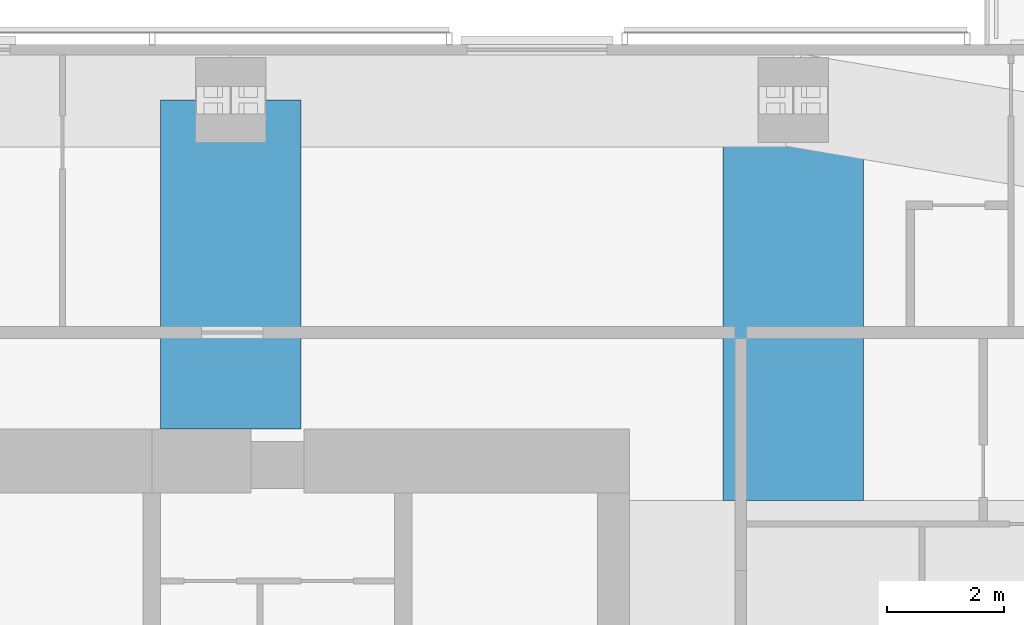
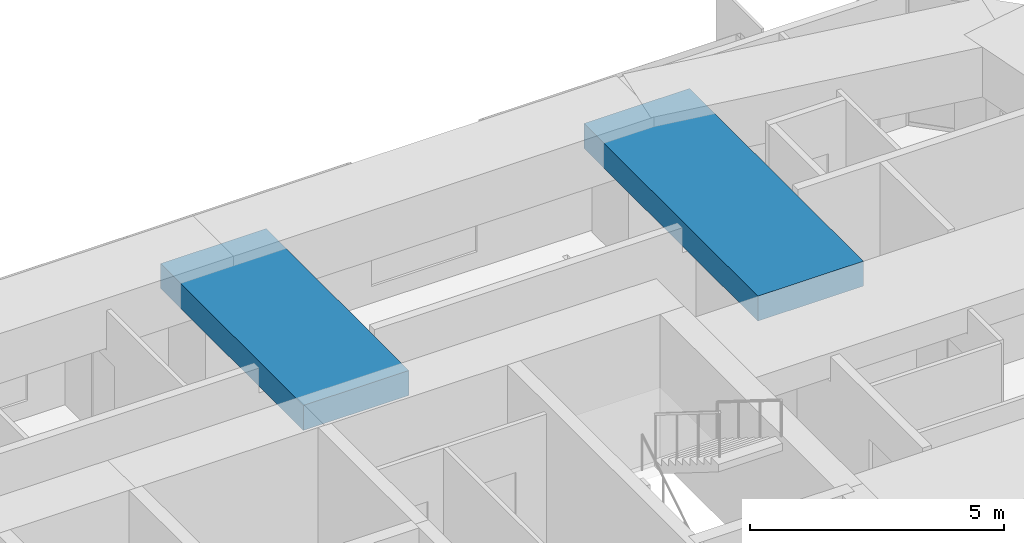
# One storey, part 7 of 20: 2 beams.
"""IFC4 building model written with IfcOpenShell, lengths in metres."""

from ifc_helpers import new_model, si_unit, direction, frame, origin, origin_2d, place, context, subcontext, project, spatial, rectangle, extrude, material, material_profile, profile_set, type_object, element, save


model = new_model("IFC4")

# Units and contexts
model_context = context("Model", 3, precision=1e-05, world=origin(), true_north=direction((0.0, 1.0)))
body_context = subcontext(model_context, "Body", "Model", "MODEL_VIEW")
ifc_project = project(units=[si_unit("LENGTHUNIT", "METRE"), si_unit("AREAUNIT", "SQUARE_METRE"), si_unit("VOLUMEUNIT", "CUBIC_METRE"), si_unit("PLANEANGLEUNIT", "RADIAN"), si_unit("MASSUNIT", "GRAM", prefix="KILO")], contexts=[model_context])

# Site, building, storey
site_placement = place(None, origin())
site = spatial("IfcSite", under=ifc_project, at=site_placement, CompositionType="ELEMENT")
building_placement = place(site_placement, origin())
building = spatial("IfcBuilding", under=site, at=building_placement, Name="Jalousie Tower", CompositionType="ELEMENT")
storey_placement = place(building_placement, frame((0.0, 0.0, 238.949951171875)))
storey = spatial("IfcBuildingStorey", under=building, at=storey_placement, Name="L65", CompositionType="ELEMENT", Elevation=238.949951171875)

# Beams
ifc_material = material(Name="Concrete f'c 40 MPa", Category="concrete")
ifc_material_profile = material_profile(ifc_material, rectangle(XDim=2.39990234375, YDim=0.60009765625, at=origin_2d()), Name="RC 2400x600")
ifc_profile_set = profile_set([ifc_material_profile], Name="Concrete f'c 40 MPa")
beam_type = type_object("IfcBeamType", Name="RC BEAM 2400x600", PredefinedType="BEAM", material=ifc_profile_set)
beam_1_placement = place(storey_placement, frame((37.25, 33.050048828125, 2.9599609375), z_axis=(0.0, -1.0, 0.0), x_axis=(1.0, 0.0, 0.0)))
element("IfcBeam", 1, at=beam_1_placement, inside=storey, type_object=beam_type, Name="Floor band beam under L66", PredefinedType="BEAM", context=body_context, shape_type="SweptSolid", body=[
    extrude(rectangle(XDim=2.39990234375, YDim=0.60009765625, at=origin_2d()), origin(), (0.0, 0.0, 1.0), 5.625),
])
beam_2_placement = place(storey_placement, frame((46.875, 33.050048828125, 2.9599609375), z_axis=(0.0, -1.0, 0.0), x_axis=(1.0, 0.0, 0.0)))
element("IfcBeam", 2, at=beam_2_placement, inside=storey, type_object=beam_type, Name="Floor band beam under L66", PredefinedType="BEAM", context=body_context, shape_type="SweptSolid", body=[
    extrude(rectangle(XDim=2.39990234375, YDim=0.60009765625, at=origin_2d()), origin(), (0.0, 0.0, 1.0), 6.85009765625),
])

save(model, "model.ifc")
